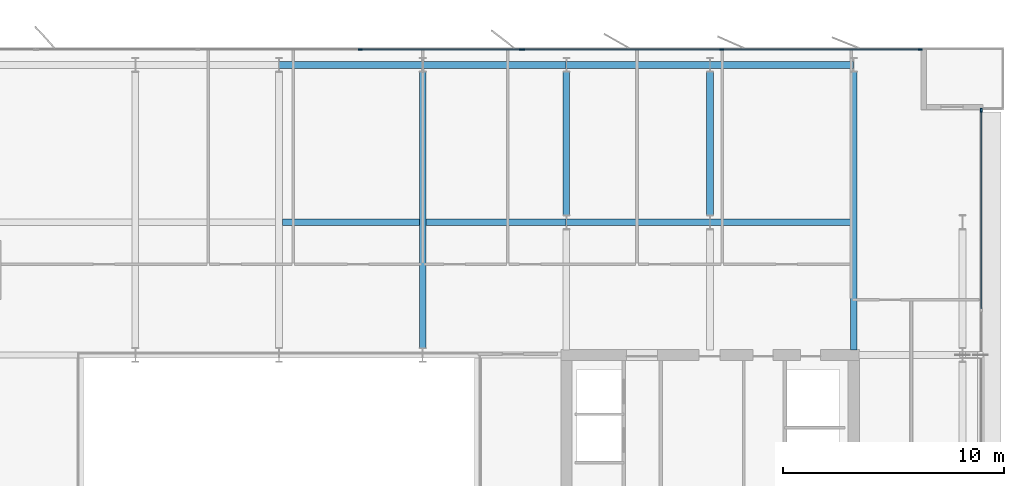
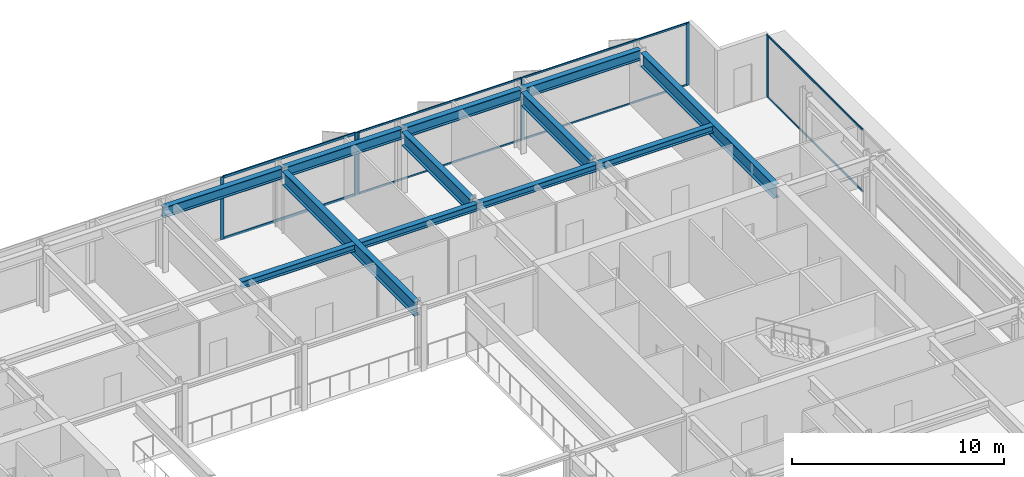
# One storey, part 9 of 19: 14 members, 12 beams, 3 elements without a shape of their own.
"""IFC4 building model written with IfcOpenShell, lengths in metres."""

from ifc_helpers import new_model, si_unit, direction, frame, origin, origin_2d, place, context, subcontext, project, spatial, rectangle, i_section, extrude, material, layer, layer_set, material_profile, profile_set, type_object, element, aggregate, save


model = new_model("IFC4")

# Units and contexts
model_context = context("Model", 3, precision=1e-05, world=origin(), true_north=direction((0.0, 1.0)))
body_context = subcontext(model_context, "Body", "Model", "MODEL_VIEW")
ifc_project = project(units=[si_unit("LENGTHUNIT", "METRE"), si_unit("AREAUNIT", "SQUARE_METRE"), si_unit("VOLUMEUNIT", "CUBIC_METRE"), si_unit("PLANEANGLEUNIT", "RADIAN"), si_unit("MASSUNIT", "GRAM", prefix="KILO")], contexts=[model_context])

# Site, building, storey
site_placement = place(None, origin())
site = spatial("IfcSite", under=ifc_project, at=site_placement, CompositionType="ELEMENT")
building_placement = place(site_placement, origin())
building = spatial("IfcBuilding", under=site, at=building_placement, Name="Putna Gate Headquarters", CompositionType="ELEMENT")
storey_placement = place(building_placement, frame((0.0, 0.0, 259.39990234375)))
storey = spatial("IfcBuildingStorey", under=building, at=storey_placement, Name="L65", CompositionType="ELEMENT", Elevation=259.39990234375)

# Beams
ifc_material_1 = material(Name="Steel S355J2", Category="steel")
ifc_material_profile_1 = material_profile(ifc_material_1, i_section(OverallWidth=0.300048828125, OverallDepth=0.800048828125, WebThickness=0.017578125, FlangeThickness=0.032958984375, at=origin_2d()), Name="Steel S355J2")
ifc_profile_set_1 = profile_set([ifc_material_profile_1], Name="Steel S355J2")
beam_type_1 = type_object("IfcBeamType", Name="BM-GIRD-P-HEB800", PredefinedType="USERDEFINED", material=ifc_profile_set_1)
beam_1_placement = place(storey_placement, frame((45.5, 33.322021484375, 3.18798828125), z_axis=(0.0, 1.0, 0.0), x_axis=(-1.0, 0.0, 0.0)))
element("IfcBeam", 1, at=beam_1_placement, inside=storey, type_object=beam_type_1, Name="L65 North Primary Girder X45", ObjectType="GIRDER", PredefinedType="USERDEFINED", context=body_context, shape_type="SweptSolid", body=[
    extrude(i_section(OverallWidth=0.300048828125, OverallDepth=0.800048828125, WebThickness=0.017578125, FlangeThickness=0.032958984375, at=origin_2d()), origin(), (0.0, 0.0, 1.0), 12.47607421875),
])
for number, where, z_axis, x_axis, name in (
    (2, (52.0, 39.322021484375, 3.18798828125), (0.0, 1.0, 0.0), (-1.0, 0.0, 0.0), "L65 North Primary Girder X52-2"),
    (3, (58.5, 39.322021484375, 3.18798828125), (0.0, 1.0, 0.0), (-1.0, 0.0, 0.0), "L65 North Primary Girder X58-2"),
):
    element("IfcBeam", number, at=place(storey_placement, frame(where, z_axis=z_axis, x_axis=x_axis)), inside=storey, type_object=beam_type_1, Name=name, ObjectType="GIRDER", PredefinedType="USERDEFINED", context=body_context, shape_type="SweptSolid", body=[
        extrude(i_section(OverallWidth=0.300048828125, OverallDepth=0.800048828125, WebThickness=0.017578125, FlangeThickness=0.032958984375, at=origin_2d()), origin(), (0.0, 0.0, 1.0), 6.47607421875),
    ])
beam_2_placement = place(storey_placement, frame((65.0, 33.235107421875, 3.18798828125), z_axis=(0.0, 1.0, 0.0), x_axis=(-1.0, 0.0, 0.0)))
element("IfcBeam", 4, at=beam_2_placement, inside=storey, type_object=beam_type_1, Name="L65 North Primary Girder X65", ObjectType="GIRDER", PredefinedType="USERDEFINED", context=body_context, shape_type="SweptSolid", body=[
    extrude(i_section(OverallWidth=0.300048828125, OverallDepth=0.800048828125, WebThickness=0.017578125, FlangeThickness=0.032958984375, at=origin_2d()), origin(), (0.0, 0.0, 1.0), 12.56298828125),
])
ifc_material_profile_2 = material_profile(ifc_material_1, i_section(OverallWidth=0.300048828125, OverallDepth=0.389892578125, WebThickness=0.010986328125, FlangeThickness=0.01904296875, at=origin_2d()), Name="Steel S355J2")
ifc_profile_set_2 = profile_set([ifc_material_profile_2], Name="Steel S355J2")
beam_type_2 = type_object("IfcBeamType", Name="BM-SEC-Z5-HEA400", PredefinedType="BEAM", material=ifc_profile_set_2)
beam_3_placement = place(storey_placement, frame((39.154052734375, 39.0, 3.39306640625), z_axis=(1.0, 0.0, 0.0), x_axis=(0.0, 1.0, 0.0)))
element("IfcBeam", 5, at=beam_3_placement, inside=storey, type_object=beam_type_2, Name="L65 North Secondary Beam 5", PredefinedType="BEAM", context=body_context, shape_type="SweptSolid", body=[
    extrude(i_section(OverallWidth=0.300048828125, OverallDepth=0.389892578125, WebThickness=0.010986328125, FlangeThickness=0.01904296875, at=origin_2d()), origin(), (0.0, 0.0, 1.0), 6.19189453125),
])
beam_4_placement = place(storey_placement, frame((45.654052734375, 39.0, 3.39306640625), z_axis=(1.0, 0.0, 0.0), x_axis=(0.0, 1.0, 0.0)))
element("IfcBeam", 6, at=beam_4_placement, inside=storey, type_object=beam_type_2, Name="L65 North Secondary Beam 6", PredefinedType="BEAM", context=body_context, shape_type="SweptSolid", body=[
    extrude(i_section(OverallWidth=0.300048828125, OverallDepth=0.389892578125, WebThickness=0.010986328125, FlangeThickness=0.01904296875, at=origin_2d()), origin(), (0.0, 0.0, 1.0), 6.33984375),
])
beam_5_placement = place(storey_placement, frame((52.006103515625, 39.0, 3.39306640625), z_axis=(1.0, 0.0, 0.0), x_axis=(0.0, 1.0, 0.0)))
element("IfcBeam", 7, at=beam_5_placement, inside=storey, type_object=beam_type_2, Name="L65 North Secondary Beam 7", PredefinedType="BEAM", context=body_context, shape_type="SweptSolid", body=[
    extrude(i_section(OverallWidth=0.300048828125, OverallDepth=0.389892578125, WebThickness=0.010986328125, FlangeThickness=0.01904296875, at=origin_2d()), origin(), (0.0, 0.0, 1.0), 6.48779296875),
])
beam_6_placement = place(storey_placement, frame((58.506103515625, 39.0, 3.39306640625), z_axis=(1.0, 0.0, 0.0), x_axis=(0.0, 1.0, 0.0)))
element("IfcBeam", 8, at=beam_6_placement, inside=storey, type_object=beam_type_2, Name="L65 North Secondary Beam 8", PredefinedType="BEAM", context=body_context, shape_type="SweptSolid", body=[
    extrude(i_section(OverallWidth=0.300048828125, OverallDepth=0.389892578125, WebThickness=0.010986328125, FlangeThickness=0.01904296875, at=origin_2d()), origin(), (0.0, 0.0, 1.0), 6.33984375),
])
ifc_material_profile_3 = material_profile(ifc_material_1, i_section(OverallWidth=0.300048828125, OverallDepth=0.590087890625, WebThickness=0.012939453125, FlangeThickness=0.02490234375, at=origin_2d()), Name="Steel S355J2")
ifc_profile_set_3 = profile_set([ifc_material_profile_3], Name="Steel S355J2")
beam_type_3 = type_object("IfcBeamType", Name="BM-SPAN-Z4-HEA600", PredefinedType="SPANDREL", material=ifc_profile_set_3)
for number, where, z_axis, x_axis, name in (
    (9, (39.006103515625, 46.1201171875, 3.293212890625), (1.0, 0.0, 0.0), (0.0, 1.0, 0.0), "L65 N Perimeter Spandrel 5"),
    (10, (45.506103515625, 46.1201171875, 3.293212890625), (1.0, 0.0, 0.0), (0.0, 1.0, 0.0), "L65 N Perimeter Spandrel 6"),
    (11, (52.006103515625, 46.1201171875, 3.293212890625), (1.0, 0.0, 0.0), (0.0, 1.0, 0.0), "L65 N Perimeter Spandrel 7"),
    (12, (58.506103515625, 46.1201171875, 3.293212890625), (1.0, 0.0, 0.0), (0.0, 1.0, 0.0), "L65 N Perimeter Spandrel 8"),
):
    element("IfcBeam", number, at=place(storey_placement, frame(where, z_axis=z_axis, x_axis=x_axis)), inside=storey, type_object=beam_type_3, Name=name, PredefinedType="SPANDREL", context=body_context, shape_type="SweptSolid", body=[
        extrude(i_section(OverallWidth=0.300048828125, OverallDepth=0.590087890625, WebThickness=0.012939453125, FlangeThickness=0.02490234375, at=origin_2d()), origin(), (0.0, 0.0, 1.0), 6.48779296875),
    ])

# Curtain wall, members
ifc_material_2 = material(Name="Anodised bronze aluminium curtain wall", Category="aluminium")
ifc_layer_1 = layer(ifc_material_2, 0.179931640625)
ifc_layer_set_1 = layer_set([ifc_layer_1], Name="Anodised bronze aluminium curtain wall")
curtain_wall_type_1 = type_object("IfcCurtainWallType", Name="CW-SYS-Z5", PredefinedType="USERDEFINED", material=ifc_layer_set_1)
curtain_wall_1_placement = place(storey_placement, origin())
curtain_wall_1 = element("IfcCurtainWall", 13, at=curtain_wall_1_placement, inside=storey, type_object=curtain_wall_type_1, Name="L65 North East Curtain Wall", ObjectType="STICK CURTAIN WALL", PredefinedType="USERDEFINED")
ifc_material_3 = material(Name="Anodised bronze aluminium EN AW-6060", Category="aluminium")
ifc_material_profile_4 = material_profile(ifc_material_3, rectangle(XDim=0.070068359375, YDim=0.179931640625, at=origin_2d()), Name="Anodised bronze aluminium EN AW-6060")
ifc_profile_set_4 = profile_set([ifc_material_profile_4], Name="Anodised bronze aluminium EN AW-6060")
member_type_1 = type_object("IfcMemberType", Name="MULL-CWM-5", PredefinedType="MULLION", material=ifc_profile_set_4)
member_1_placement = place(storey_placement, frame((50.034912109375, 46.820068359375, 0.0), z_axis=(0.0, 0.0, 1.0), x_axis=(0.0, 1.0, 0.0)))
member_1 = element("IfcMember", 14, at=member_1_placement, type_object=member_type_1, Name="CWS-5 mullion 1", PredefinedType="MULLION", context=body_context, shape_type="SweptSolid", body=[
    extrude(rectangle(XDim=0.070068359375, YDim=0.179931640625, at=origin_2d()), origin(), (0.0, 0.0, 1.0), 3.588134765625),
])
member_2_placement = place(storey_placement, frame((59.02392578125, 46.820068359375, 0.0), z_axis=(0.0, 0.0, 1.0), x_axis=(0.0, 1.0, 0.0)))
member_2 = element("IfcMember", 15, at=member_2_placement, type_object=member_type_1, Name="CWS-5 mullion 2", PredefinedType="MULLION", context=body_context, shape_type="SweptSolid", body=[
    extrude(rectangle(XDim=0.070068359375, YDim=0.179931640625, at=origin_2d()), origin(), (0.0, 0.0, 1.0), 3.588134765625),
])
member_3_placement = place(storey_placement, frame((68.012939453125, 46.820068359375, 0.0), z_axis=(0.0, 0.0, 1.0), x_axis=(0.0, 1.0, 0.0)))
member_3 = element("IfcMember", 16, at=member_3_placement, type_object=member_type_1, Name="CWS-5 mullion 3", PredefinedType="MULLION", context=body_context, shape_type="SweptSolid", body=[
    extrude(rectangle(XDim=0.070068359375, YDim=0.179931640625, at=origin_2d()), origin(), (0.0, 0.0, 1.0), 3.588134765625),
])

# Curtain wall, member
curtain_wall_2_placement = place(storey_placement, origin())
curtain_wall_2 = element("IfcCurtainWall", 17, at=curtain_wall_2_placement, inside=storey, type_object=curtain_wall_type_1, Name="L65 East Curtain Wall", ObjectType="STICK CURTAIN WALL", PredefinedType="USERDEFINED")
member_4_placement = place(storey_placement, frame((70.767822265625, 44.06494140625, 0.0), z_axis=(0.0, 0.0, 1.0), x_axis=(-1.0, 0.0, 0.0)))
member_4 = element("IfcMember", 18, at=member_4_placement, type_object=member_type_1, Name="CWS-5 mullion 5", PredefinedType="MULLION", context=body_context, shape_type="SweptSolid", body=[
    extrude(rectangle(XDim=0.070068359375, YDim=0.179931640625, at=origin_2d()), origin(), (0.0, 0.0, 1.0), 3.588134765625),
])

# Curtain wall, members
ifc_layer_2 = layer(ifc_material_2, 0.179931640625)
ifc_layer_set_2 = layer_set([ifc_layer_2], Name="Anodised bronze aluminium curtain wall")
curtain_wall_type_2 = type_object("IfcCurtainWallType", Name="CW-SYS-ATR", PredefinedType="USERDEFINED", material=ifc_layer_set_2)
curtain_wall_3_placement = place(storey_placement, origin())
curtain_wall_3 = element("IfcCurtainWall", 19, at=curtain_wall_3_placement, inside=storey, type_object=curtain_wall_type_2, Name="L65 North Atrium Clear Glazing", ObjectType="ATRIUM GLAZING", PredefinedType="USERDEFINED")
ifc_material_profile_5 = material_profile(ifc_material_3, rectangle(XDim=0.070068359375, YDim=0.179931640625, at=origin_2d()), Name="Anodised bronze aluminium EN AW-6060")
ifc_profile_set_5 = profile_set([ifc_material_profile_5], Name="Anodised bronze aluminium EN AW-6060")
member_type_2 = type_object("IfcMemberType", Name="MULL-CWM-AT", PredefinedType="MULLION", material=ifc_profile_set_5)
member_5_placement = place(storey_placement, frame((42.666748046875, 46.820068359375, 0.0), z_axis=(0.0, 0.0, 1.0), x_axis=(0.0, 1.0, 0.0)))
member_5 = element("IfcMember", 20, at=member_5_placement, type_object=member_type_2, Name="CWS-AT mullion 3", PredefinedType="MULLION", context=body_context, shape_type="SweptSolid", body=[
    extrude(rectangle(XDim=0.070068359375, YDim=0.179931640625, at=origin_2d()), origin(), (0.0, 0.0, 1.0), 3.588134765625),
])
member_6_placement = place(storey_placement, frame((49.965087890625, 46.820068359375, 0.0), z_axis=(0.0, 0.0, 1.0), x_axis=(0.0, 1.0, 0.0)))
member_6 = element("IfcMember", 21, at=member_6_placement, type_object=member_type_2, Name="CWS-AT mullion 4", PredefinedType="MULLION", context=body_context, shape_type="SweptSolid", body=[
    extrude(rectangle(XDim=0.070068359375, YDim=0.179931640625, at=origin_2d()), origin(), (0.0, 0.0, 1.0), 3.588134765625),
])

# Member
ifc_material_profile_6 = material_profile(ifc_material_3, rectangle(XDim=0.06005859375, YDim=0.10009765625, at=origin_2d()), Name="Anodised bronze aluminium EN AW-6060")
ifc_profile_set_6 = profile_set([ifc_material_profile_6], Name="Anodised bronze aluminium EN AW-6060")
member_type_3 = type_object("IfcMemberType", Name="TRAN-CWT-5", PredefinedType="USERDEFINED", material=ifc_profile_set_6)
member_7_placement = place(storey_placement, frame((50.070068359375, 46.820068359375, 0.030029296875), z_axis=(1.0, 0.0, 0.0), x_axis=(0.0, 1.0, 0.0)))
member_7 = element("IfcMember", 22, at=member_7_placement, type_object=member_type_3, Name="CWS-5 transom 1.1", ObjectType="TRANSOM", PredefinedType="USERDEFINED", context=body_context, shape_type="SweptSolid", body=[
    extrude(rectangle(XDim=0.06005859375, YDim=0.10009765625, at=origin_2d()), origin(), (0.0, 0.0, 1.0), 8.9189453125),
])

member_8_placement = place(storey_placement, frame((50.070068359375, 46.820068359375, 3.55810546875), z_axis=(1.0, 0.0, 0.0), x_axis=(0.0, 1.0, 0.0)))
member_8 = element("IfcMember", 23, at=member_8_placement, type_object=member_type_3, Name="CWS-5 transom 1.2", ObjectType="TRANSOM", PredefinedType="USERDEFINED", context=body_context, shape_type="SweptSolid", body=[
    extrude(rectangle(XDim=0.06005859375, YDim=0.10009765625, at=origin_2d()), origin(), (0.0, 0.0, 1.0), 8.9189453125),
])

member_9_placement = place(storey_placement, frame((59.058837890625, 46.820068359375, 0.030029296875), z_axis=(1.0, 0.0, 0.0), x_axis=(0.0, 1.0, 0.0)))
member_9 = element("IfcMember", 24, at=member_9_placement, type_object=member_type_3, Name="CWS-5 transom 2.1", ObjectType="TRANSOM", PredefinedType="USERDEFINED", context=body_context, shape_type="SweptSolid", body=[
    extrude(rectangle(XDim=0.06005859375, YDim=0.10009765625, at=origin_2d()), origin(), (0.0, 0.0, 1.0), 8.9189453125),
])

member_10_placement = place(storey_placement, frame((59.058837890625, 46.820068359375, 3.55810546875), z_axis=(1.0, 0.0, 0.0), x_axis=(0.0, 1.0, 0.0)))
member_10 = element("IfcMember", 25, at=member_10_placement, type_object=member_type_3, Name="CWS-5 transom 2.2", ObjectType="TRANSOM", PredefinedType="USERDEFINED", context=body_context, shape_type="SweptSolid", body=[
    extrude(rectangle(XDim=0.06005859375, YDim=0.10009765625, at=origin_2d()), origin(), (0.0, 0.0, 1.0), 8.9189453125),
])

aggregate(curtain_wall_1, [member_1, member_2, member_3, member_7, member_8, member_9, member_10])

member_11_placement = place(storey_placement, frame((70.767822265625, 35.0849609375, 0.030029296875), z_axis=(0.0, 1.0, 0.0), x_axis=(-1.0, 0.0, 0.0)))
member_11 = element("IfcMember", 26, at=member_11_placement, type_object=member_type_3, Name="CWS-5 transom 4.1", ObjectType="TRANSOM", PredefinedType="USERDEFINED", context=body_context, shape_type="SweptSolid", body=[
    extrude(rectangle(XDim=0.06005859375, YDim=0.10009765625, at=origin_2d()), origin(), (0.0, 0.0, 1.0), 8.945068359375),
])

member_12_placement = place(storey_placement, frame((70.767822265625, 35.0849609375, 3.55810546875), z_axis=(0.0, 1.0, 0.0), x_axis=(-1.0, 0.0, 0.0)))
member_12 = element("IfcMember", 27, at=member_12_placement, type_object=member_type_3, Name="CWS-5 transom 4.2", ObjectType="TRANSOM", PredefinedType="USERDEFINED", context=body_context, shape_type="SweptSolid", body=[
    extrude(rectangle(XDim=0.06005859375, YDim=0.10009765625, at=origin_2d()), origin(), (0.0, 0.0, 1.0), 8.945068359375),
])

aggregate(curtain_wall_2, [member_4, member_11, member_12])

ifc_material_profile_7 = material_profile(ifc_material_3, rectangle(XDim=0.070068359375, YDim=0.139892578125, at=origin_2d()), Name="Anodised bronze aluminium EN AW-6060")
ifc_profile_set_7 = profile_set([ifc_material_profile_7], Name="Anodised bronze aluminium EN AW-6060")
member_type_4 = type_object("IfcMemberType", Name="TRAN-CWT-AT", PredefinedType="USERDEFINED", material=ifc_profile_set_7)
member_13_placement = place(storey_placement, frame((42.70166015625, 46.820068359375, 0.03515625), z_axis=(1.0, 0.0, 0.0), x_axis=(0.0, 1.0, 0.0)))
member_13 = element("IfcMember", 28, at=member_13_placement, type_object=member_type_4, Name="CWS-AT transom 3.1", ObjectType="TRANSOM", PredefinedType="USERDEFINED", context=body_context, shape_type="SweptSolid", body=[
    extrude(rectangle(XDim=0.070068359375, YDim=0.139892578125, at=origin_2d()), origin(), (0.0, 0.0, 1.0), 7.228271484375),
])

member_14_placement = place(storey_placement, frame((42.70166015625, 46.820068359375, 3.552978515625), z_axis=(1.0, 0.0, 0.0), x_axis=(0.0, 1.0, 0.0)))
member_14 = element("IfcMember", 29, at=member_14_placement, type_object=member_type_4, Name="CWS-AT transom 3.2", ObjectType="TRANSOM", PredefinedType="USERDEFINED", context=body_context, shape_type="SweptSolid", body=[
    extrude(rectangle(XDim=0.070068359375, YDim=0.139892578125, at=origin_2d()), origin(), (0.0, 0.0, 1.0), 7.228271484375),
])

aggregate(curtain_wall_3, [member_5, member_6, member_13, member_14])

save(model, "model.ifc")
